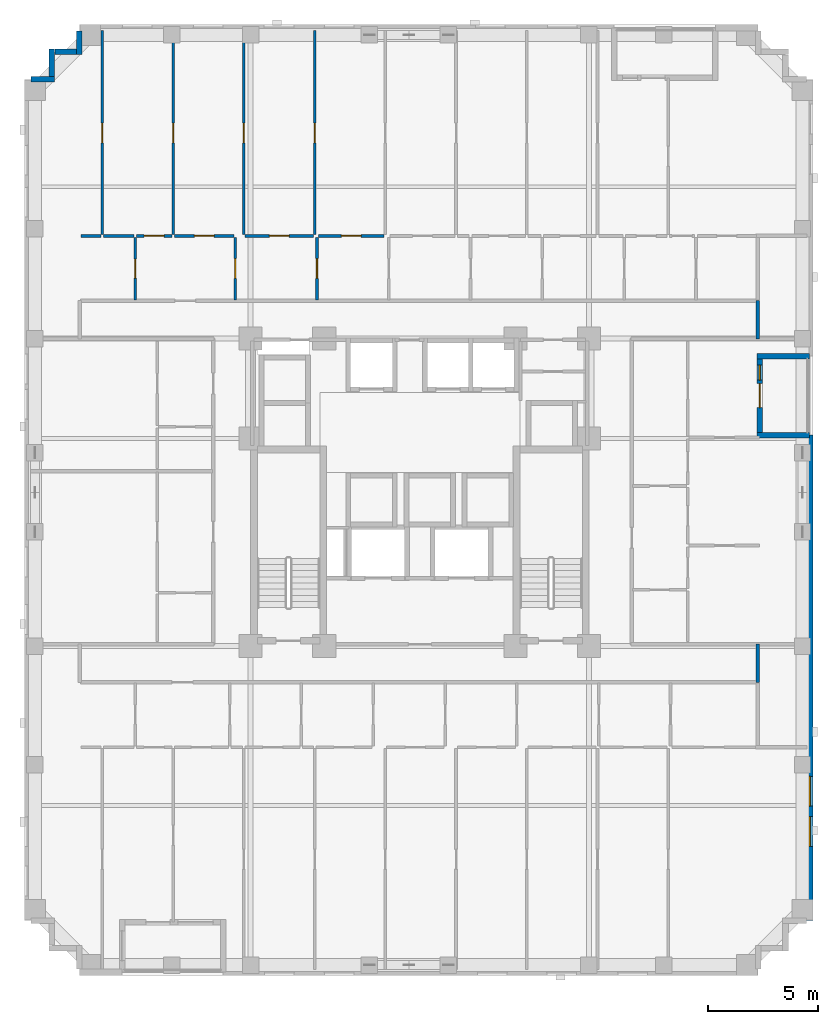
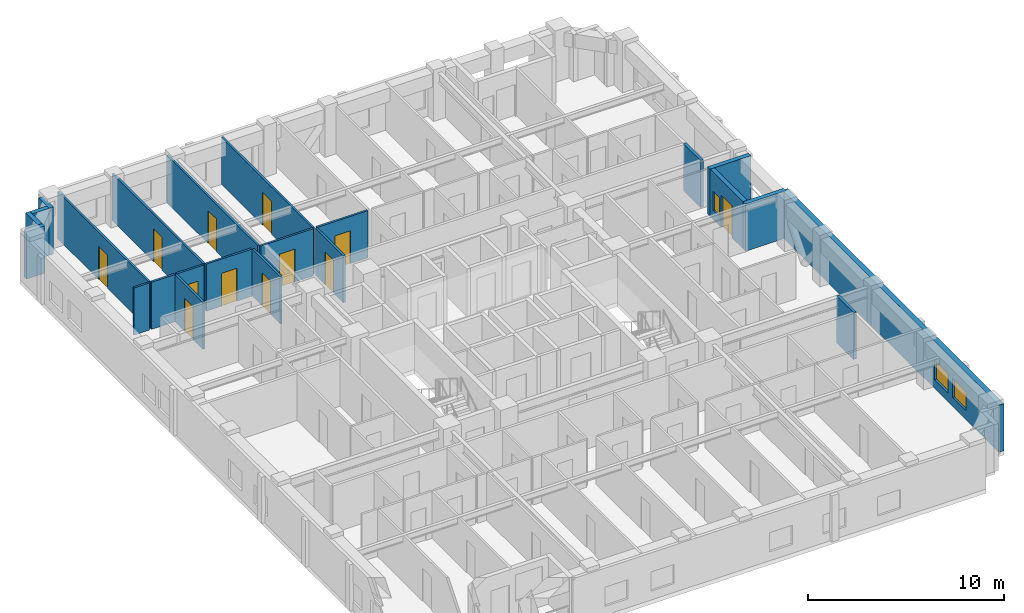
# One storey, part 7 of 13: 23 walls, 12 doors, 3 windows, 15 openings.
"""IFC4 building model written with IfcOpenShell, lengths in metres."""

from ifc_helpers import new_model, si_unit, derived_unit, direction, frame, frame_2d, origin, place, context, subcontext, project, spatial, rectangle, extrude, material, layer, layer_set, type_object, element, fill, save


model = new_model("IFC4")

# Units and contexts
model_context = context("Model", 3, precision=1e-05, world=origin(), true_north=direction((0.0, 1.0)))
body_context = subcontext(model_context, "Body", "Model", "MODEL_VIEW")
ifc_project = project(units=[si_unit("LENGTHUNIT", "METRE"), si_unit("AREAUNIT", "SQUARE_METRE"), si_unit("VOLUMEUNIT", "CUBIC_METRE"), si_unit("PLANEANGLEUNIT", "RADIAN"), si_unit("MASSUNIT", "GRAM", prefix="KILO"), derived_unit("THERMALTRANSMITTANCEUNIT", [(si_unit("MASSUNIT", "GRAM", prefix="KILO"), 1), (si_unit("TIMEUNIT", "SECOND"), -3), (si_unit("THERMODYNAMICTEMPERATUREUNIT", "KELVIN"), -1)])], contexts=[model_context])

# Site, building, storey
site_placement = place(None, origin())
site = spatial("IfcSite", under=ifc_project, at=site_placement, CompositionType="ELEMENT")
building_placement = place(site_placement, origin())
building = spatial("IfcBuilding", under=site, at=building_placement, Name="Korrvale Station Residences", CompositionType="ELEMENT")
storey_placement = place(building_placement, frame((0.0, 0.0, 97.5)))
storey = spatial("IfcBuildingStorey", under=building, at=storey_placement, Name="L27", CompositionType="ELEMENT", Elevation=97.5)

# Wall
ifc_material_1 = material(Name="Precast concrete C45/55", Category="concrete")
ifc_layer_1 = layer(ifc_material_1, 0.260009765625, Name="Precast concrete C45/55")
ifc_layer_set_1 = layer_set([ifc_layer_1], Name="Precast concrete C45/55")
wall_type_1 = type_object("IfcWallType", Name="WAL-EXT-LOG260", PredefinedType="SOLIDWALL", material=ifc_layer_set_1)
wall_1_placement = place(storey_placement, frame((43.239990234375, 28.199951171875, 0.0), z_axis=(0.0, 0.0, 1.0), x_axis=(-1.0, 0.0, 0.0)))
element("IfcWall", 1, at=wall_1_placement, inside=storey, type_object=wall_type_1, Name="L27 Recessed Loggia Wall BAL-L27-E1-L", PredefinedType="SOLIDWALL", context=body_context, shape_type="SweptSolid", body=[
    extrude(rectangle(XDim=2.39990234375, YDim=0.260009765625, at=frame_2d((1.199951171875, 0.0))), origin(), (0.0, 0.0, 1.0), 2.93994140625),
])

# Wall, openings, door, window
wall_2_placement = place(storey_placement, frame((40.969970703125, 28.06591796875, 0.0), z_axis=(0.0, 0.0, 1.0), x_axis=(0.0, -1.0, 0.0)))
wall_2 = element("IfcWall", 2, at=wall_2_placement, inside=storey, type_object=wall_type_1, Name="L27 Recessed Loggia Wall BAL-L27-E1-B", PredefinedType="SOLIDWALL", context=body_context, shape_type="SweptSolid", body=[
    extrude(rectangle(XDim=3.33203125, YDim=0.260009765625, at=frame_2d((1.666015625, 0.0))), origin(), (0.0, 0.0, 1.0), 2.93994140625),
])
opening_1_placement = place(wall_2_placement, frame((1.115966796875, 0.0, 0.0)))
opening_1 = element("IfcOpeningElement", 3, at=opening_1_placement, cuts=wall_2, Name="Opening BD-01", PredefinedType="OPENING", context=body_context, shape_type="SweptSolid", body=[
    extrude(rectangle(XDim=1.10009765625, YDim=2.0, at=frame_2d((0.550048828125, 1.0))), frame((0.0, 0.14013671875, 0.0), z_axis=(0.0, -1.0, 0.0), x_axis=(1.0, 0.0, 0.0)), (0.0, 0.0, 1.0), 0.280029296875),
])
opening_2_placement = place(wall_2_placement, frame((0.27587890625, 0.0, 0.550048828125)))
opening_2 = element("IfcOpeningElement", 4, at=opening_2_placement, cuts=wall_2, Name="Opening W-12", PredefinedType="OPENING", context=body_context, shape_type="SweptSolid", body=[
    extrude(rectangle(XDim=0.679931640625, YDim=1.199951171875, at=frame_2d((0.33984375, 0.60009765625))), frame((0.0, 0.14013671875, 0.0), z_axis=(0.0, -1.0, 0.0), x_axis=(1.0, 0.0, 0.0)), (0.0, 0.0, 1.0), 0.280029296875),
])
ifc_material_2 = material(Name="Exterior thermally broken aluminium glazed balcony door", Category="aluminium")
door_type_1 = type_object("IfcDoorType", Name="DR-EXT-BAL", OperationType="NOTDEFINED", PredefinedType="DOOR", material=ifc_material_2)
door_1_placement = place(opening_1_placement, origin())
door_1 = element("IfcDoor", 5, at=door_1_placement, inside=storey, type_object=door_type_1, Name="L27 Loggia Balcony Door BAL-L27-E1", OperationType="SINGLE_SWING_LEFT", OverallHeight=2.0, OverallWidth=1.10009765625, PredefinedType="DOOR", context=body_context, shape_type="SweptSolid", body=[
    extrude(rectangle(XDim=1.10009765625, YDim=2.0, at=frame_2d((0.550048828125, 1.0))), frame((0.0, 0.02490234375, 0.0), z_axis=(0.0, -1.0, 0.0), x_axis=(1.0, 0.0, 0.0)), (0.0, 0.0, 1.0), 0.050048828125),
])
fill(opening_1, door_1)
ifc_material_3 = material(Name="Thermally broken aluminium frame with triple low-e glazing", Category="aluminium")
window_type_1 = type_object("IfcWindowType", Name="WIN-W12", PartitioningType="SINGLE_PANEL", PredefinedType="WINDOW", material=ifc_material_3)
window_1_placement = place(opening_2_placement, origin())
window_1 = element("IfcWindow", 6, at=window_1_placement, inside=storey, type_object=window_type_1, Name="L27 Punched Window 27", OverallHeight=1.199951171875, OverallWidth=0.679931640625, PartitioningType="SINGLE_PANEL", PredefinedType="WINDOW", context=body_context, shape_type="SweptSolid", body=[
    extrude(rectangle(XDim=0.679931640625, YDim=1.199951171875, at=frame_2d((0.33984375, 0.60009765625))), frame((0.0, 0.030029296875, 0.0), z_axis=(0.0, -1.0, 0.0), x_axis=(1.0, 0.0, 0.0)), (0.0, 0.0, 1.0), 0.06005859375),
])
fill(opening_2, window_1)

# Walls
wall_3_placement = place(storey_placement, frame((40.840087890625, 24.60009765625, 0.0), z_axis=(0.0, 0.0, 1.0), x_axis=(1.0, 0.0, 0.0)))
element("IfcWall", 7, at=wall_3_placement, inside=storey, type_object=wall_type_1, Name="L27 Recessed Loggia Wall BAL-L27-E1-R", PredefinedType="SOLIDWALL", context=body_context, shape_type="SweptSolid", body=[
    extrude(rectangle(XDim=2.39990234375, YDim=0.260009765625, at=frame_2d((1.199951171875, 0.0))), origin(), (0.0, 0.0, 1.0), 2.93994140625),
])
wall_4_placement = place(storey_placement, frame((7.802001953125, 40.800048828125, 0.0), z_axis=(0.0, 0.0, 1.0), x_axis=(1.0, 0.0, 0.0)))
element("IfcWall", 8, at=wall_4_placement, inside=storey, type_object=wall_type_1, Name="L27 Serrated Corner Precast Step NW-1", PredefinedType="SOLIDWALL", context=body_context, shape_type="SweptSolid", body=[
    extrude(rectangle(XDim=1.077880859375, YDim=0.260009765625, at=frame_2d((0.5390625, 0.0))), origin(), (0.0, 0.0, 1.0), 2.93994140625),
])
wall_5_placement = place(storey_placement, frame((8.75, 40.931884765625, 0.0), z_axis=(0.0, 0.0, 1.0), x_axis=(0.0, 1.0, 0.0)))
element("IfcWall", 9, at=wall_5_placement, inside=storey, type_object=wall_type_1, Name="L27 Serrated Corner Precast Step NW-2", PredefinedType="SOLIDWALL", context=body_context, shape_type="SweptSolid", body=[
    extrude(rectangle(XDim=1.248046875, YDim=0.260009765625, at=frame_2d((0.6240234375, 0.0))), origin(), (0.0, 0.0, 1.0), 2.93994140625),
])
wall_6_placement = place(storey_placement, frame((8.882080078125, 42.050048828125, 0.0), z_axis=(0.0, 0.0, 1.0), x_axis=(1.0, 0.0, 0.0)))
element("IfcWall", 10, at=wall_6_placement, inside=storey, type_object=wall_type_1, Name="L27 Serrated Corner Precast Step NW-3", PredefinedType="SOLIDWALL", context=body_context, shape_type="SweptSolid", body=[
    extrude(rectangle(XDim=0.98583984375, YDim=0.260009765625, at=frame_2d((0.492919921875, 0.0))), origin(), (0.0, 0.0, 1.0), 2.93994140625),
])
wall_7_placement = place(storey_placement, frame((10.0, 41.919921875, 0.0), z_axis=(0.0, 0.0, 1.0), x_axis=(0.0, 1.0, 0.0)))
element("IfcWall", 11, at=wall_7_placement, inside=storey, type_object=wall_type_1, Name="L27 Serrated Corner Precast Step NW-4", PredefinedType="SOLIDWALL", context=body_context, shape_type="SweptSolid", body=[
    extrude(rectangle(XDim=1.078125, YDim=0.260009765625, at=frame_2d((0.5390625, 0.0))), origin(), (0.0, 0.0, 1.0), 2.93994140625),
])

# Wall, openings, windows
ifc_layer_2 = layer(ifc_material_1, 0.300048828125, Name="Precast concrete C45/55")
ifc_layer_set_2 = layer_set([ifc_layer_2], Name="Precast concrete C45/55")
wall_type_2 = type_object("IfcWallType", Name="WAL-EXT-PC300", PredefinedType="SOLIDWALL", material=ifc_layer_set_2)
wall_8_placement = place(storey_placement, frame((43.25, 24.60009765625, 0.0), z_axis=(0.0, 0.0, 1.0), x_axis=(0.0, -1.0, 0.0)))
wall_8 = element("IfcWall", 12, at=wall_8_placement, inside=storey, type_object=wall_type_2, Name="L27 East Exterior Precast Wall 2", PredefinedType="SOLIDWALL", context=body_context, shape_type="SweptSolid", body=[
    extrude(rectangle(XDim=22.10009765625, YDim=0.300048828125, at=frame_2d((11.050048828125, 0.0))), origin(), (0.0, 0.0, 1.0), 2.93994140625),
])
opening_3_placement = place(wall_8_placement, frame((17.365966796875, 0.0, 0.550048828125)))
opening_3 = element("IfcOpeningElement", 13, at=opening_3_placement, cuts=wall_8, Name="Opening W-10", PredefinedType="OPENING", context=body_context, shape_type="SweptSolid", body=[
    extrude(rectangle(XDim=1.35009765625, YDim=1.199951171875, at=frame_2d((0.675048828125, 0.60009765625))), frame((0.0, 0.16015625, 0.0), z_axis=(0.0, -1.0, 0.0), x_axis=(1.0, 0.0, 0.0)), (0.0, 0.0, 1.0), 0.320068359375),
])
opening_4_placement = place(wall_8_placement, frame((15.534912109375, 0.0, 0.550048828125)))
opening_4 = element("IfcOpeningElement", 14, at=opening_4_placement, cuts=wall_8, Name="Opening W-10", PredefinedType="OPENING", context=body_context, shape_type="SweptSolid", body=[
    extrude(rectangle(XDim=1.35009765625, YDim=1.199951171875, at=frame_2d((0.675048828125, 0.60009765625))), frame((0.0, 0.16015625, 0.0), z_axis=(0.0, -1.0, 0.0), x_axis=(1.0, 0.0, 0.0)), (0.0, 0.0, 1.0), 0.320068359375),
])
window_type_2 = type_object("IfcWindowType", Name="WIN-W10", PartitioningType="SINGLE_PANEL", PredefinedType="WINDOW", material=ifc_material_3)
window_2_placement = place(opening_3_placement, origin())
window_2 = element("IfcWindow", 15, at=window_2_placement, inside=storey, type_object=window_type_2, Name="L27 Punched Window 10", OverallHeight=1.199951171875, OverallWidth=1.35009765625, PartitioningType="SINGLE_PANEL", PredefinedType="WINDOW", context=body_context, shape_type="SweptSolid", body=[
    extrude(rectangle(XDim=1.35009765625, YDim=1.199951171875, at=frame_2d((0.675048828125, 0.60009765625))), frame((0.0, 0.030029296875, 0.0), z_axis=(0.0, -1.0, 0.0), x_axis=(1.0, 0.0, 0.0)), (0.0, 0.0, 1.0), 0.06005859375),
])
fill(opening_3, window_2)
window_3_placement = place(opening_4_placement, origin())
window_3 = element("IfcWindow", 16, at=window_3_placement, inside=storey, type_object=window_type_2, Name="L27 Punched Window 11", OverallHeight=1.199951171875, OverallWidth=1.35009765625, PartitioningType="SINGLE_PANEL", PredefinedType="WINDOW", context=body_context, shape_type="SweptSolid", body=[
    extrude(rectangle(XDim=1.35009765625, YDim=1.199951171875, at=frame_2d((0.675048828125, 0.60009765625))), frame((0.0, 0.030029296875, 0.0), z_axis=(0.0, -1.0, 0.0), x_axis=(1.0, 0.0, 0.0)), (0.0, 0.0, 1.0), 0.06005859375),
])
fill(opening_4, window_3)

# Wall, opening, door
ifc_material_4 = material(Name="Acoustic steel-stud gypsum board partition", Category="steel")
ifc_layer_3 = layer(ifc_material_4, 0.1201171875, Name="Acoustic steel-stud gypsum board partition")
ifc_layer_set_3 = layer_set([ifc_layer_3], Name="Acoustic steel-stud gypsum board partition")
wall_type_3 = type_object("IfcWallType", Name="WAL-PART-125", PredefinedType="PARTITIONING", material=ifc_layer_set_3)
wall_9_placement = place(storey_placement, frame((12.5400390625, 30.760009765625, 0.0), z_axis=(0.0, 0.0, 1.0), x_axis=(0.0, 1.0, 0.0)))
wall_9 = element("IfcWall", 17, at=wall_9_placement, inside=storey, type_object=wall_type_3, Name="L27 Suite Partition U02-V01", PredefinedType="PARTITIONING", context=body_context, shape_type="SweptSolid", body=[
    extrude(rectangle(XDim=2.85009765625, YDim=0.1201171875, at=frame_2d((1.425048828125, 0.0))), origin(), (0.0, 0.0, 1.0), 2.93994140625),
])
opening_5_placement = place(wall_9_placement, frame((0.9951171875, 0.0, 0.0)))
opening_5 = element("IfcOpeningElement", 18, at=opening_5_placement, cuts=wall_9, Name="Opening DB-860", PredefinedType="OPENING", context=body_context, shape_type="SweptSolid", body=[
    extrude(rectangle(XDim=0.860107421875, YDim=2.050048828125, at=frame_2d((0.43017578125, 1.02490234375))), frame((0.0, 0.070068359375, 0.0), z_axis=(0.0, -1.0, 0.0), x_axis=(1.0, 0.0, 0.0)), (0.0, 0.0, 1.0), 0.14013671875),
])
ifc_material_5 = material(Name="Moisture-resistant solid-core bathroom door", Category="timber")
door_type_2 = type_object("IfcDoorType", Name="DR-BATH-860", OperationType="NOTDEFINED", PredefinedType="DOOR", material=ifc_material_5)
door_2_placement = place(opening_5_placement, origin())
door_2 = element("IfcDoor", 19, at=door_2_placement, inside=storey, type_object=door_type_2, Name="L27 Studio Apartment L27-U02 Bathroom Door", OperationType="SINGLE_SWING_RIGHT", OverallHeight=2.050048828125, OverallWidth=0.860107421875, PredefinedType="DOOR", context=body_context, shape_type="SweptSolid", body=[
    extrude(rectangle(XDim=0.860107421875, YDim=2.050048828125, at=frame_2d((0.43017578125, 1.02490234375))), frame((0.0, 0.02490234375, 0.0), z_axis=(0.0, -1.0, 0.0), x_axis=(1.0, 0.0, 0.0)), (0.0, 0.0, 1.0), 0.050048828125),
])
fill(opening_5, door_2)

# Walls
wall_10_placement = place(storey_placement, frame((10.080078125, 33.669921875, 0.0), z_axis=(0.0, 0.0, 1.0), x_axis=(1.0, 0.0, 0.0)))
element("IfcWall", 20, at=wall_10_placement, inside=storey, type_object=wall_type_3, Name="L27 Suite Partition U02-H09", PredefinedType="PARTITIONING", context=body_context, shape_type="SweptSolid", body=[
    extrude(rectangle(XDim=0.909912109375, YDim=0.1201171875, at=frame_2d((0.455078125, 0.0))), origin(), (0.0, 0.0, 1.0), 2.93994140625),
])
wall_11_placement = place(storey_placement, frame((11.110107421875, 33.669921875, 0.0), z_axis=(0.0, 0.0, 1.0), x_axis=(1.0, 0.0, 0.0)))
element("IfcWall", 21, at=wall_11_placement, inside=storey, type_object=wall_type_3, Name="L27 Suite Partition U02-H010", PredefinedType="PARTITIONING", context=body_context, shape_type="SweptSolid", body=[
    extrude(rectangle(XDim=1.369873046875, YDim=0.1201171875, at=frame_2d((0.68505859375, 0.0))), origin(), (0.0, 0.0, 1.0), 2.93994140625),
])

# Wall, opening, door
wall_12_placement = place(storey_placement, frame((17.10009765625, 30.760009765625, 0.0), z_axis=(0.0, 0.0, 1.0), x_axis=(0.0, 1.0, 0.0)))
wall_12 = element("IfcWall", 22, at=wall_12_placement, inside=storey, type_object=wall_type_3, Name="L27 Suite Partition U02-V12", PredefinedType="PARTITIONING", context=body_context, shape_type="SweptSolid", body=[
    extrude(rectangle(XDim=2.85009765625, YDim=0.1201171875, at=frame_2d((1.425048828125, 0.0))), origin(), (0.0, 0.0, 1.0), 2.93994140625),
])
opening_6_placement = place(wall_12_placement, frame((0.97509765625, 0.0, 0.0)))
opening_6 = element("IfcOpeningElement", 23, at=opening_6_placement, cuts=wall_12, Name="Opening DI-900", PredefinedType="OPENING", context=body_context, shape_type="SweptSolid", body=[
    extrude(rectangle(XDim=0.89990234375, YDim=2.050048828125, at=frame_2d((0.449951171875, 1.02490234375))), frame((0.0, 0.070068359375, 0.0), z_axis=(0.0, -1.0, 0.0), x_axis=(1.0, 0.0, 0.0)), (0.0, 0.0, 1.0), 0.14013671875),
])
ifc_material_6 = material(Name="Painted solid-core timber interior room door", Category="wood")
door_type_3 = type_object("IfcDoorType", Name="DR-INT-900", OperationType="NOTDEFINED", PredefinedType="DOOR", material=ifc_material_6)
door_3_placement = place(opening_6_placement, origin())
door_3 = element("IfcDoor", 24, at=door_3_placement, inside=storey, type_object=door_type_3, Name="L27 Studio Apartment L27-U02 Kitchen Door", OperationType="SINGLE_SWING_LEFT", OverallHeight=2.050048828125, OverallWidth=0.89990234375, PredefinedType="DOOR", context=body_context, shape_type="SweptSolid", body=[
    extrude(rectangle(XDim=0.89990234375, YDim=2.050048828125, at=frame_2d((0.449951171875, 1.02490234375))), frame((0.0, 0.02490234375, 0.0), z_axis=(0.0, -1.0, 0.0), x_axis=(1.0, 0.0, 0.0)), (0.0, 0.0, 1.0), 0.050048828125),
])
fill(opening_6, door_3)

wall_13_placement = place(storey_placement, frame((12.60009765625, 33.669921875, 0.0), z_axis=(0.0, 0.0, 1.0), x_axis=(1.0, 0.0, 0.0)))
wall_13 = element("IfcWall", 25, at=wall_13_placement, inside=storey, type_object=wall_type_3, Name="L27 Suite Partition U02-H110", PredefinedType="PARTITIONING", context=body_context, shape_type="SweptSolid", body=[
    extrude(rectangle(XDim=1.60986328125, YDim=0.1201171875, at=frame_2d((0.804931640625, 0.0))), origin(), (0.0, 0.0, 1.0), 2.93994140625),
])
opening_7_placement = place(wall_13_placement, frame((0.35498046875, 0.0, 0.0)))
opening_7 = element("IfcOpeningElement", 26, at=opening_7_placement, cuts=wall_13, Name="Opening DI-900", PredefinedType="OPENING", context=body_context, shape_type="SweptSolid", body=[
    extrude(rectangle(XDim=0.89990234375, YDim=2.050048828125, at=frame_2d((0.449951171875, 1.02490234375))), frame((0.0, 0.070068359375, 0.0), z_axis=(0.0, -1.0, 0.0), x_axis=(1.0, 0.0, 0.0)), (0.0, 0.0, 1.0), 0.14013671875),
])
door_4_placement = place(opening_7_placement, origin())
door_4 = element("IfcDoor", 27, at=door_4_placement, inside=storey, type_object=door_type_3, Name="L27 Studio Apartment L27-U02 Kitchen Door", OperationType="SINGLE_SWING_RIGHT", OverallHeight=2.050048828125, OverallWidth=0.89990234375, PredefinedType="DOOR", context=body_context, shape_type="SweptSolid", body=[
    extrude(rectangle(XDim=0.89990234375, YDim=2.050048828125, at=frame_2d((0.449951171875, 1.02490234375))), frame((0.0, 0.02490234375, 0.0), z_axis=(0.0, -1.0, 0.0), x_axis=(1.0, 0.0, 0.0)), (0.0, 0.0, 1.0), 0.050048828125),
])
fill(opening_7, door_4)

wall_14_placement = place(storey_placement, frame((14.330078125, 33.669921875, 0.0), z_axis=(0.0, 0.0, 1.0), x_axis=(1.0, 0.0, 0.0)))
wall_14 = element("IfcWall", 28, at=wall_14_placement, inside=storey, type_object=wall_type_3, Name="L27 Suite Partition U02-H111", PredefinedType="PARTITIONING", context=body_context, shape_type="SweptSolid", body=[
    extrude(rectangle(XDim=2.7099609375, YDim=0.1201171875, at=frame_2d((1.35498046875, 0.0))), origin(), (0.0, 0.0, 1.0), 2.93994140625),
])
opening_8_placement = place(wall_14_placement, frame((0.905029296875, 0.0, 0.0)))
opening_8 = element("IfcOpeningElement", 29, at=opening_8_placement, cuts=wall_14, Name="Opening DI-900", PredefinedType="OPENING", context=body_context, shape_type="SweptSolid", body=[
    extrude(rectangle(XDim=0.89990234375, YDim=2.050048828125, at=frame_2d((0.449951171875, 1.02490234375))), frame((0.0, 0.070068359375, 0.0), z_axis=(0.0, -1.0, 0.0), x_axis=(1.0, 0.0, 0.0)), (0.0, 0.0, 1.0), 0.14013671875),
])
door_5_placement = place(opening_8_placement, origin())
door_5 = element("IfcDoor", 30, at=door_5_placement, inside=storey, type_object=door_type_3, Name="L27 Studio Apartment L27-U02 Kitchen Door", OperationType="SINGLE_SWING_LEFT", OverallHeight=2.050048828125, OverallWidth=0.89990234375, PredefinedType="DOOR", context=body_context, shape_type="SweptSolid", body=[
    extrude(rectangle(XDim=0.89990234375, YDim=2.050048828125, at=frame_2d((0.449951171875, 1.02490234375))), frame((0.0, 0.02490234375, 0.0), z_axis=(0.0, -1.0, 0.0), x_axis=(1.0, 0.0, 0.0)), (0.0, 0.0, 1.0), 0.050048828125),
])
fill(opening_8, door_5)

wall_15_placement = place(storey_placement, frame((20.820068359375, 30.760009765625, 0.0), z_axis=(0.0, 0.0, 1.0), x_axis=(0.0, 1.0, 0.0)))
wall_15 = element("IfcWall", 31, at=wall_15_placement, inside=storey, type_object=wall_type_3, Name="L27 Suite Partition U02-V23", PredefinedType="PARTITIONING", context=body_context, shape_type="SweptSolid", body=[
    extrude(rectangle(XDim=2.85009765625, YDim=0.1201171875, at=frame_2d((1.425048828125, 0.0))), origin(), (0.0, 0.0, 1.0), 2.93994140625),
])
opening_9_placement = place(wall_15_placement, frame((0.97509765625, 0.0, 0.0)))
opening_9 = element("IfcOpeningElement", 32, at=opening_9_placement, cuts=wall_15, Name="Opening DI-900", PredefinedType="OPENING", context=body_context, shape_type="SweptSolid", body=[
    extrude(rectangle(XDim=0.89990234375, YDim=2.050048828125, at=frame_2d((0.449951171875, 1.02490234375))), frame((0.0, 0.070068359375, 0.0), z_axis=(0.0, -1.0, 0.0), x_axis=(1.0, 0.0, 0.0)), (0.0, 0.0, 1.0), 0.14013671875),
])
door_6_placement = place(opening_9_placement, origin())
door_6 = element("IfcDoor", 33, at=door_6_placement, inside=storey, type_object=door_type_3, Name="L27 Studio Apartment L27-U02 Utility and Laundry Room Door", OperationType="SINGLE_SWING_RIGHT", OverallHeight=2.050048828125, OverallWidth=0.89990234375, PredefinedType="DOOR", context=body_context, shape_type="SweptSolid", body=[
    extrude(rectangle(XDim=0.89990234375, YDim=2.050048828125, at=frame_2d((0.449951171875, 1.02490234375))), frame((0.0, 0.02490234375, 0.0), z_axis=(0.0, -1.0, 0.0), x_axis=(1.0, 0.0, 0.0)), (0.0, 0.0, 1.0), 0.050048828125),
])
fill(opening_9, door_6)

wall_16_placement = place(storey_placement, frame((17.550048828125, 33.669921875, 0.0), z_axis=(0.0, 0.0, 1.0), x_axis=(1.0, 0.0, 0.0)))
wall_16 = element("IfcWall", 34, at=wall_16_placement, inside=storey, type_object=wall_type_3, Name="L27 Suite Partition U02-H212", PredefinedType="PARTITIONING", context=body_context, shape_type="SweptSolid", body=[
    extrude(rectangle(XDim=3.099853515625, YDim=0.1201171875, at=frame_2d((1.5498046875, 0.0))), origin(), (0.0, 0.0, 1.0), 2.93994140625),
])
opening_10_placement = place(wall_16_placement, frame((1.10009765625, 0.0, 0.0)))
opening_10 = element("IfcOpeningElement", 35, at=opening_10_placement, cuts=wall_16, Name="Opening DI-900", PredefinedType="OPENING", context=body_context, shape_type="SweptSolid", body=[
    extrude(rectangle(XDim=0.89990234375, YDim=2.050048828125, at=frame_2d((0.449951171875, 1.02490234375))), frame((0.0, 0.070068359375, 0.0), z_axis=(0.0, -1.0, 0.0), x_axis=(1.0, 0.0, 0.0)), (0.0, 0.0, 1.0), 0.14013671875),
])
door_7_placement = place(opening_10_placement, origin())
door_7 = element("IfcDoor", 36, at=door_7_placement, inside=storey, type_object=door_type_3, Name="L27 Studio Apartment L27-U02 Utility and Laundry Room Door", OperationType="SINGLE_SWING_LEFT", OverallHeight=2.050048828125, OverallWidth=0.89990234375, PredefinedType="DOOR", context=body_context, shape_type="SweptSolid", body=[
    extrude(rectangle(XDim=0.89990234375, YDim=2.050048828125, at=frame_2d((0.449951171875, 1.02490234375))), frame((0.0, 0.02490234375, 0.0), z_axis=(0.0, -1.0, 0.0), x_axis=(1.0, 0.0, 0.0)), (0.0, 0.0, 1.0), 0.050048828125),
])
fill(opening_10, door_7)

wall_17_placement = place(storey_placement, frame((20.8798828125, 33.669921875, 0.0), z_axis=(0.0, 0.0, 1.0), x_axis=(1.0, 0.0, 0.0)))
wall_17 = element("IfcWall", 37, at=wall_17_placement, inside=storey, type_object=wall_type_3, Name="L27 Suite Partition U02-H313", PredefinedType="PARTITIONING", context=body_context, shape_type="SweptSolid", body=[
    extrude(rectangle(XDim=2.990234375, YDim=0.1201171875, at=frame_2d((1.4951171875, 0.0))), origin(), (0.0, 0.0, 1.0), 2.93994140625),
])
opening_11_placement = place(wall_17_placement, frame((1.044921875, 0.0, 0.0)))
opening_11 = element("IfcOpeningElement", 38, at=opening_11_placement, cuts=wall_17, Name="Opening DI-900", PredefinedType="OPENING", context=body_context, shape_type="SweptSolid", body=[
    extrude(rectangle(XDim=0.89990234375, YDim=2.050048828125, at=frame_2d((0.449951171875, 1.02490234375))), frame((0.0, 0.070068359375, 0.0), z_axis=(0.0, -1.0, 0.0), x_axis=(1.0, 0.0, 0.0)), (0.0, 0.0, 1.0), 0.14013671875),
])
door_8_placement = place(opening_11_placement, origin())
door_8 = element("IfcDoor", 39, at=door_8_placement, inside=storey, type_object=door_type_3, Name="L27 Studio Apartment L27-U02 Storage Closet 2 Door", OperationType="SINGLE_SWING_LEFT", OverallHeight=2.050048828125, OverallWidth=0.89990234375, PredefinedType="DOOR", context=body_context, shape_type="SweptSolid", body=[
    extrude(rectangle(XDim=0.89990234375, YDim=2.050048828125, at=frame_2d((0.449951171875, 1.02490234375))), frame((0.0, 0.02490234375, 0.0), z_axis=(0.0, -1.0, 0.0), x_axis=(1.0, 0.0, 0.0)), (0.0, 0.0, 1.0), 0.050048828125),
])
fill(opening_11, door_8)

wall_18_placement = place(storey_placement, frame((11.050048828125, 33.72998046875, 0.0), z_axis=(0.0, 0.0, 1.0), x_axis=(0.0, 1.0, 0.0)))
wall_18 = element("IfcWall", 40, at=wall_18_placement, inside=storey, type_object=wall_type_3, Name="L27 Suite Partition U02-V910", PredefinedType="PARTITIONING", context=body_context, shape_type="SweptSolid", body=[
    extrude(rectangle(XDim=9.2900390625, YDim=0.1201171875, at=frame_2d((4.64501953125, 0.0))), origin(), (0.0, 0.0, 1.0), 2.93994140625),
])
opening_12_placement = place(wall_18_placement, frame((4.179931640625, 0.0, 0.0)))
opening_12 = element("IfcOpeningElement", 41, at=opening_12_placement, cuts=wall_18, Name="Opening DI-900", PredefinedType="OPENING", context=body_context, shape_type="SweptSolid", body=[
    extrude(rectangle(XDim=0.89990234375, YDim=2.050048828125, at=frame_2d((0.449951171875, 1.02490234375))), frame((0.0, 0.070068359375, 0.0), z_axis=(0.0, -1.0, 0.0), x_axis=(1.0, 0.0, 0.0)), (0.0, 0.0, 1.0), 0.14013671875),
])
door_9_placement = place(opening_12_placement, origin())
door_9 = element("IfcDoor", 42, at=door_9_placement, inside=storey, type_object=door_type_3, Name="L27 Studio Apartment L27-U02 Walk-In Wardrobe Door", OperationType="SINGLE_SWING_RIGHT", OverallHeight=2.050048828125, OverallWidth=0.89990234375, PredefinedType="DOOR", context=body_context, shape_type="SweptSolid", body=[
    extrude(rectangle(XDim=0.89990234375, YDim=2.050048828125, at=frame_2d((0.449951171875, 1.02490234375))), frame((0.0, 0.02490234375, 0.0), z_axis=(0.0, -1.0, 0.0), x_axis=(1.0, 0.0, 0.0)), (0.0, 0.0, 1.0), 0.050048828125),
])
fill(opening_12, door_9)

wall_19_placement = place(storey_placement, frame((14.27001953125, 33.72998046875, 0.0), z_axis=(0.0, 0.0, 1.0), x_axis=(0.0, 1.0, 0.0)))
wall_19 = element("IfcWall", 43, at=wall_19_placement, inside=storey, type_object=wall_type_3, Name="L27 Suite Partition U02-V1011", PredefinedType="PARTITIONING", context=body_context, shape_type="SweptSolid", body=[
    extrude(rectangle(XDim=9.2900390625, YDim=0.1201171875, at=frame_2d((4.64501953125, 0.0))), origin(), (0.0, 0.0, 1.0), 2.93994140625),
])
opening_13_placement = place(wall_19_placement, frame((4.179931640625, 0.0, 0.0)))
opening_13 = element("IfcOpeningElement", 44, at=opening_13_placement, cuts=wall_19, Name="Opening DI-900", PredefinedType="OPENING", context=body_context, shape_type="SweptSolid", body=[
    extrude(rectangle(XDim=0.89990234375, YDim=2.050048828125, at=frame_2d((0.449951171875, 1.02490234375))), frame((0.0, 0.070068359375, 0.0), z_axis=(0.0, -1.0, 0.0), x_axis=(1.0, 0.0, 0.0)), (0.0, 0.0, 1.0), 0.14013671875),
])
door_10_placement = place(opening_13_placement, origin())
door_10 = element("IfcDoor", 45, at=door_10_placement, inside=storey, type_object=door_type_3, Name="L27 Studio Apartment L27-U02 Formal Dining Room Door", OperationType="SINGLE_SWING_LEFT", OverallHeight=2.050048828125, OverallWidth=0.89990234375, PredefinedType="DOOR", context=body_context, shape_type="SweptSolid", body=[
    extrude(rectangle(XDim=0.89990234375, YDim=2.050048828125, at=frame_2d((0.449951171875, 1.02490234375))), frame((0.0, 0.02490234375, 0.0), z_axis=(0.0, -1.0, 0.0), x_axis=(1.0, 0.0, 0.0)), (0.0, 0.0, 1.0), 0.050048828125),
])
fill(opening_13, door_10)

wall_20_placement = place(storey_placement, frame((17.489990234375, 33.72998046875, 0.0), z_axis=(0.0, 0.0, 1.0), x_axis=(0.0, 1.0, 0.0)))
wall_20 = element("IfcWall", 46, at=wall_20_placement, inside=storey, type_object=wall_type_3, Name="L27 Suite Partition U02-V1112", PredefinedType="PARTITIONING", context=body_context, shape_type="SweptSolid", body=[
    extrude(rectangle(XDim=9.2900390625, YDim=0.1201171875, at=frame_2d((4.64501953125, 0.0))), origin(), (0.0, 0.0, 1.0), 2.93994140625),
])
opening_14_placement = place(wall_20_placement, frame((4.179931640625, 0.0, 0.0)))
opening_14 = element("IfcOpeningElement", 47, at=opening_14_placement, cuts=wall_20, Name="Opening DI-900", PredefinedType="OPENING", context=body_context, shape_type="SweptSolid", body=[
    extrude(rectangle(XDim=0.89990234375, YDim=2.050048828125, at=frame_2d((0.449951171875, 1.02490234375))), frame((0.0, 0.070068359375, 0.0), z_axis=(0.0, -1.0, 0.0), x_axis=(1.0, 0.0, 0.0)), (0.0, 0.0, 1.0), 0.14013671875),
])
door_11_placement = place(opening_14_placement, origin())
door_11 = element("IfcDoor", 48, at=door_11_placement, inside=storey, type_object=door_type_3, Name="L27 Studio Apartment L27-U02 Formal Dining Room Door", OperationType="SINGLE_SWING_RIGHT", OverallHeight=2.050048828125, OverallWidth=0.89990234375, PredefinedType="DOOR", context=body_context, shape_type="SweptSolid", body=[
    extrude(rectangle(XDim=0.89990234375, YDim=2.050048828125, at=frame_2d((0.449951171875, 1.02490234375))), frame((0.0, 0.02490234375, 0.0), z_axis=(0.0, -1.0, 0.0), x_axis=(1.0, 0.0, 0.0)), (0.0, 0.0, 1.0), 0.050048828125),
])
fill(opening_14, door_11)

wall_21_placement = place(storey_placement, frame((20.7099609375, 33.72998046875, 0.0), z_axis=(0.0, 0.0, 1.0), x_axis=(0.0, 1.0, 0.0)))
wall_21 = element("IfcWall", 49, at=wall_21_placement, inside=storey, type_object=wall_type_3, Name="L27 Suite Partition U02-V1213", PredefinedType="PARTITIONING", context=body_context, shape_type="SweptSolid", body=[
    extrude(rectangle(XDim=9.2900390625, YDim=0.1201171875, at=frame_2d((4.64501953125, 0.0))), origin(), (0.0, 0.0, 1.0), 2.93994140625),
])
opening_15_placement = place(wall_21_placement, frame((4.179931640625, 0.0, 0.0)))
opening_15 = element("IfcOpeningElement", 50, at=opening_15_placement, cuts=wall_21, Name="Opening DI-900", PredefinedType="OPENING", context=body_context, shape_type="SweptSolid", body=[
    extrude(rectangle(XDim=0.89990234375, YDim=2.050048828125, at=frame_2d((0.449951171875, 1.02490234375))), frame((0.0, 0.070068359375, 0.0), z_axis=(0.0, -1.0, 0.0), x_axis=(1.0, 0.0, 0.0)), (0.0, 0.0, 1.0), 0.14013671875),
])
door_12_placement = place(opening_15_placement, origin())
door_12 = element("IfcDoor", 51, at=door_12_placement, inside=storey, type_object=door_type_3, Name="L27 Studio Apartment L27-U02 Formal Dining Room Door", OperationType="SINGLE_SWING_LEFT", OverallHeight=2.050048828125, OverallWidth=0.89990234375, PredefinedType="DOOR", context=body_context, shape_type="SweptSolid", body=[
    extrude(rectangle(XDim=0.89990234375, YDim=2.050048828125, at=frame_2d((0.449951171875, 1.02490234375))), frame((0.0, 0.02490234375, 0.0), z_axis=(0.0, -1.0, 0.0), x_axis=(1.0, 0.0, 0.0)), (0.0, 0.0, 1.0), 0.050048828125),
])
fill(opening_15, door_12)

# Walls
ifc_material_7 = material(Name="Fire-rated twin-stud gypsum and mineral wool shaftwall assembly", Category="gypsum")
ifc_layer_4 = layer(ifc_material_7, 0.159912109375, Name="Fire-rated twin-stud gypsum and mineral wool shaftwall assembly")
ifc_layer_set_4 = layer_set([ifc_layer_4], Name="Fire-rated twin-stud gypsum and mineral wool shaftwall assembly")
wall_type_4 = type_object("IfcWallType", Name="WAL-PART-200", PredefinedType="PARTITIONING", material=ifc_layer_set_4)
for number, where, z_axis, x_axis, name in (
    (52, (40.8798828125, 13.35009765625, 0.0), (0.0, 0.0, 1.0), (0.0, 1.0, 0.0), "L27 Corridor South East Cap"),
    (53, (40.8798828125, 28.97998046875, 0.0), (0.0, 0.0, 1.0), (0.0, 1.0, 0.0), "L27 Corridor North East Cap"),
):
    element("IfcWall", number, at=place(storey_placement, frame(where, z_axis=z_axis, x_axis=x_axis)), inside=storey, type_object=wall_type_4, Name=name, PredefinedType="PARTITIONING", context=body_context, shape_type="SweptSolid", body=[
        extrude(rectangle(XDim=1.739990234375, YDim=0.159912109375, at=frame_2d((0.8701171875, 0.0))), origin(), (0.0, 0.0, 1.0), 2.93994140625),
    ])

save(model, "model.ifc")
